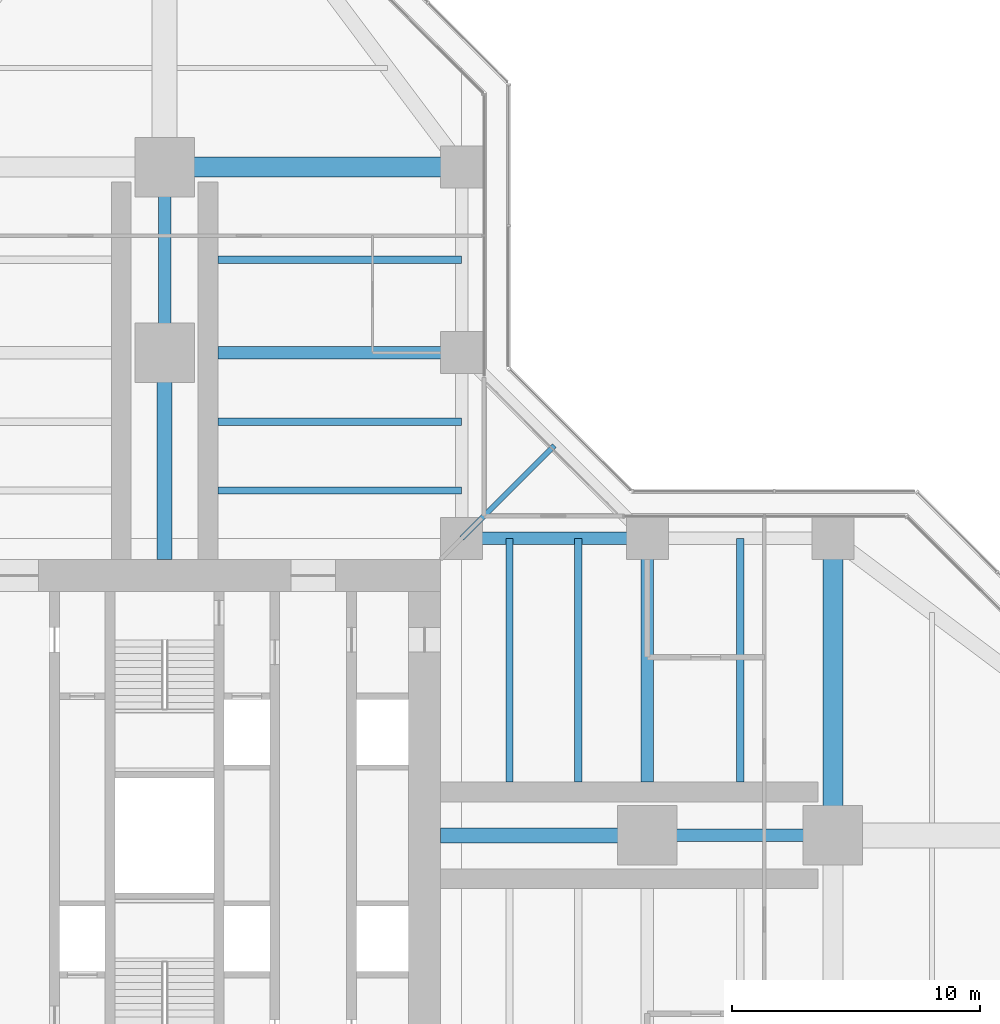
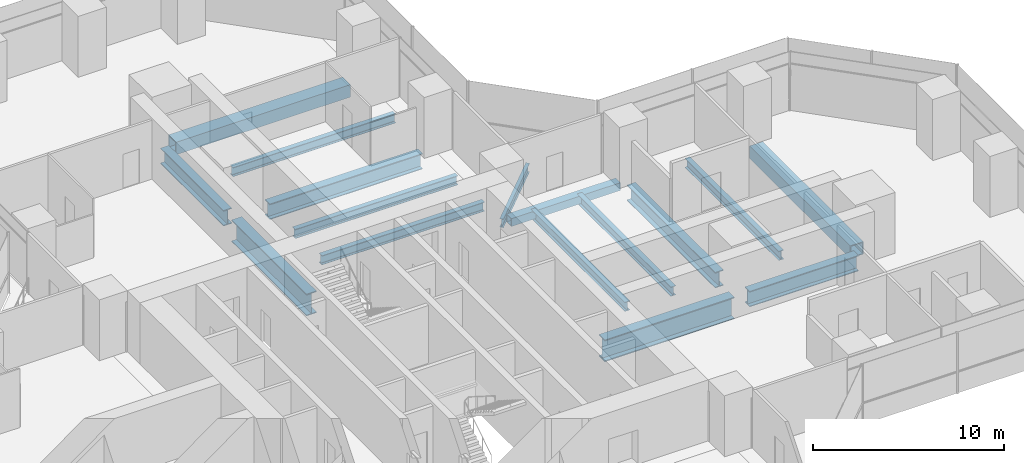
# One storey, part 10 of 22: 16 beams.
"""IFC4 building model written with IfcOpenShell, lengths in metres."""

from ifc_helpers import new_model, si_unit, direction, frame, origin, origin_2d, place, context, subcontext, project, spatial, hollow_rectangle, i_section, extrude, material, material_profile, profile_set, type_object, element, save


model = new_model("IFC4")

# Units and contexts
model_context = context("Model", 3, precision=1e-05, world=origin(), true_north=direction((0.0, 1.0)))
body_context = subcontext(model_context, "Body", "Model", "MODEL_VIEW")
ifc_project = project(units=[si_unit("LENGTHUNIT", "METRE"), si_unit("AREAUNIT", "SQUARE_METRE"), si_unit("VOLUMEUNIT", "CUBIC_METRE"), si_unit("PLANEANGLEUNIT", "RADIAN"), si_unit("MASSUNIT", "GRAM", prefix="KILO")], contexts=[model_context])

# Site, building, storey
site_placement = place(None, origin())
site = spatial("IfcSite", under=ifc_project, at=site_placement, CompositionType="ELEMENT")
building_placement = place(site_placement, origin())
building = spatial("IfcBuilding", under=site, at=building_placement, Name="Mizan Broadcast Tower", CompositionType="ELEMENT")
storey_placement = place(building_placement, frame((0.0, 0.0, 86.39990234375)))
storey = spatial("IfcBuildingStorey", under=building, at=storey_placement, Name="L18", CompositionType="ELEMENT", Elevation=86.39990234375)

# Beams
ifc_material_1 = material(Name="Steel S355", Category="steel")
ifc_material_profile_1 = material_profile(ifc_material_1, hollow_rectangle(XDim=0.5, YDim=0.5, WallThickness=0.030029296875, at=origin_2d()), Name="BOX 500x500x30")
ifc_profile_set_1 = profile_set([ifc_material_profile_1], Name="Steel S355")
beam_type_1 = type_object("IfcBeamType", Name="EDGE BEAM BOX 500x500x30", PredefinedType="SPANDREL", material=ifc_profile_set_1)
beam_1_placement = place(storey_placement, frame((12.449951171875, 12.0, -0.3798828125), z_axis=(1.0, 0.0, 0.0), x_axis=(0.0, 1.0, 0.0)))
element("IfcBeam", 1, at=beam_1_placement, inside=storey, type_object=beam_type_1, Name="Edge beam BOX 500x500x30 L18 east arm", PredefinedType="SPANDREL", context=body_context, shape_type="SweptSolid", body=[
    extrude(hollow_rectangle(XDim=0.5, YDim=0.5, WallThickness=0.030029296875, at=origin_2d()), origin(), (0.0, 0.0, 1.0), 6.60009765625),
])
ifc_material_2 = material(Name="Steel S460", Category="steel")
ifc_material_profile_2 = material_profile(ifc_material_2, hollow_rectangle(XDim=0.800048828125, YDim=0.800048828125, WallThickness=0.050048828125, at=origin_2d()), Name="BOX 800x800x50")
ifc_profile_set_2 = profile_set([ifc_material_profile_2], Name="Steel S460")
beam_type_2 = type_object("IfcBeamType", Name="GIRDER BOX 800x800x50", PredefinedType="BEAM", material=ifc_profile_set_2)
for number, where, z_axis, x_axis, name in (
    (2, (27.0, 11.280029296875, -0.52978515625), (0.0, -1.0, 0.0), (1.0, 0.0, 0.0), "Girder BOX 800x800x50 L18 east arm"),
    (3, (11.280029296875, 27.0, -0.52978515625), (-1.0, 0.0, 0.0), (0.0, -1.0, 0.0), "Girder BOX 800x800x50 L18 north arm"),
):
    element("IfcBeam", number, at=place(storey_placement, frame(where, z_axis=z_axis, x_axis=x_axis)), inside=storey, type_object=beam_type_2, Name=name, PredefinedType="BEAM", context=body_context, shape_type="SweptSolid", body=[
        extrude(hollow_rectangle(XDim=0.800048828125, YDim=0.800048828125, WallThickness=0.050048828125, at=origin_2d()), origin(), (0.0, 0.0, 1.0), 10.56005859375),
    ])
ifc_material_3 = material(Name="Steel S460", Category="steel")
ifc_material_profile_3 = material_profile(ifc_material_3, i_section(OverallWidth=0.5, OverallDepth=1.0, WebThickness=0.02490234375, FlangeThickness=0.050048828125, at=origin_2d()), Name="WPG 1000x500")
ifc_profile_set_3 = profile_set([ifc_material_profile_3], Name="Steel S460")
beam_type_3 = type_object("IfcBeamType", Name="GIRDER WPG 1000x500", PredefinedType="BEAM", material=ifc_profile_set_3)
beam_2_placement = place(storey_placement, frame((19.949951171875, 0.0, -0.6298828125), z_axis=(1.0, 0.0, 0.0), x_axis=(0.0, 1.0, 0.0)))
element("IfcBeam", 4, at=beam_2_placement, inside=storey, type_object=beam_type_3, Name="Girder WPG 1000x500 L18 east arm", PredefinedType="BEAM", context=body_context, shape_type="SweptSolid", body=[
    extrude(i_section(OverallWidth=0.5, OverallDepth=1.0, WebThickness=0.02490234375, FlangeThickness=0.050048828125, at=origin_2d()), origin(), (0.0, 0.0, 1.0), 6.60009765625),
])
beam_3_placement = place(storey_placement, frame((19.5, 11.408935546875, -0.6298828125), z_axis=(0.0, -1.0, 0.0), x_axis=(1.0, 0.0, 0.0)))
element("IfcBeam", 5, at=beam_3_placement, inside=storey, type_object=beam_type_3, Name="Girder WPG 1000x500 L18 east arm", PredefinedType="BEAM", context=body_context, shape_type="SweptSolid", body=[
    extrude(i_section(OverallWidth=0.5, OverallDepth=1.0, WebThickness=0.02490234375, FlangeThickness=0.050048828125, at=origin_2d()), origin(), (0.0, 0.0, 1.0), 9.259033203125),
])
beam_4_placement = place(storey_placement, frame((0.0, 19.949951171875, -0.6298828125), z_axis=(0.0, 1.0, 0.0), x_axis=(-1.0, 0.0, 0.0)))
element("IfcBeam", 6, at=beam_4_placement, inside=storey, type_object=beam_type_3, Name="Girder WPG 1000x500 L18 north arm", PredefinedType="BEAM", context=body_context, shape_type="SweptSolid", body=[
    extrude(i_section(OverallWidth=0.5, OverallDepth=1.0, WebThickness=0.02490234375, FlangeThickness=0.050048828125, at=origin_2d()), origin(), (0.0, 0.0, 1.0), 6.60009765625),
])
beam_5_placement = place(storey_placement, frame((11.408935546875, 19.5, -0.6298828125), z_axis=(-1.0, 0.0, 0.0), x_axis=(0.0, -1.0, 0.0)))
element("IfcBeam", 7, at=beam_5_placement, inside=storey, type_object=beam_type_3, Name="Girder WPG 1000x500 L18 north arm", PredefinedType="BEAM", context=body_context, shape_type="SweptSolid", body=[
    extrude(i_section(OverallWidth=0.5, OverallDepth=1.0, WebThickness=0.02490234375, FlangeThickness=0.050048828125, at=origin_2d()), origin(), (0.0, 0.0, 1.0), 9.259033203125),
])
ifc_material_4 = material(Name="Steel S460", Category="steel")
ifc_material_profile_4 = material_profile(ifc_material_4, i_section(OverallWidth=0.60009765625, OverallDepth=1.39990234375, WebThickness=0.02490234375, FlangeThickness=0.06005859375, at=origin_2d()), Name="WPG 1400x600")
ifc_profile_set_4 = profile_set([ifc_material_profile_4], Name="Steel S460")
beam_type_4 = type_object("IfcBeamType", Name="GIRDER WPG 1400x600", PredefinedType="BEAM", material=ifc_profile_set_4)
for number, where, z_axis, x_axis, name in (
    (8, (11.14990234375, 0.0, -0.829833984375), (1.0, 0.0, 0.0), (0.0, 1.0, 0.0), "Girder WPG 1400x600 L18 east arm"),
    (9, (0.0, 11.14990234375, -0.829833984375), (0.0, 1.0, 0.0), (-1.0, 0.0, 0.0), "Girder WPG 1400x600 L18 north arm"),
):
    element("IfcBeam", number, at=place(storey_placement, frame(where, z_axis=z_axis, x_axis=x_axis)), inside=storey, type_object=beam_type_4, Name=name, PredefinedType="BEAM", context=body_context, shape_type="SweptSolid", body=[
        extrude(i_section(OverallWidth=0.60009765625, OverallDepth=1.39990234375, WebThickness=0.02490234375, FlangeThickness=0.06005859375, at=origin_2d()), origin(), (0.0, 0.0, 1.0), 7.84912109375),
    ])
ifc_material_5 = material(Name="Steel S355", Category="steel")
ifc_material_profile_5 = material_profile(ifc_material_5, i_section(OverallWidth=0.300048828125, OverallDepth=0.590087890625, WebThickness=0.012939453125, FlangeThickness=0.02490234375, FilletRadius=0.027099609375, at=origin_2d()), Name="HEA 600")
ifc_profile_set_5 = profile_set([ifc_material_profile_5], Name="Steel S355")
beam_type_5 = type_object("IfcBeamType", Name="SECONDARY BEAM HEA 600", PredefinedType="JOIST", material=ifc_profile_set_5)
for number, where, z_axis, x_axis, name in (
    (10, (13.933349609375, 12.0, -0.4248046875), (0.0, -1.0, 0.0), (1.0, 0.0, 0.0), "Secondary beam HEA 600 L18 east arm"),
    (11, (16.716552734375, 12.0, -0.4248046875), (0.0, -1.0, 0.0), (1.0, 0.0, 0.0), "Secondary beam HEA 600 L18 east arm"),
    (12, (23.25, 12.0, -0.4248046875), (0.0, -1.0, 0.0), (1.0, 0.0, 0.0), "Secondary beam HEA 600 L18 east arm"),
    (13, (12.0, 13.933349609375, -0.4248046875), (-1.0, 0.0, 0.0), (0.0, -1.0, 0.0), "Secondary beam HEA 600 L18 north arm"),
    (14, (12.0, 16.716552734375, -0.4248046875), (-1.0, 0.0, 0.0), (0.0, -1.0, 0.0), "Secondary beam HEA 600 L18 north arm"),
    (15, (12.0, 23.25, -0.4248046875), (-1.0, 0.0, 0.0), (0.0, -1.0, 0.0), "Secondary beam HEA 600 L18 north arm"),
):
    element("IfcBeam", number, at=place(storey_placement, frame(where, z_axis=z_axis, x_axis=x_axis)), inside=storey, type_object=beam_type_5, Name=name, PredefinedType="JOIST", context=body_context, shape_type="SweptSolid", body=[
        extrude(i_section(OverallWidth=0.300048828125, OverallDepth=0.590087890625, WebThickness=0.012939453125, FlangeThickness=0.02490234375, FilletRadius=0.027099609375, at=origin_2d()), origin(), (0.0, 0.0, 1.0), 9.85009765625),
    ])
ifc_material_6 = material(Name="Steel S355", Category="steel")
ifc_material_profile_6 = material_profile(ifc_material_6, i_section(OverallWidth=0.2099609375, OverallDepth=0.550048828125, WebThickness=0.010986328125, FlangeThickness=0.01708984375, FilletRadius=0.02392578125, at=origin_2d()), Name="IPE 550")
ifc_profile_set_6 = profile_set([ifc_material_profile_6], Name="Steel S355")
beam_type_6 = type_object("IfcBeamType", Name="SECONDARY BEAM IPE 550", PredefinedType="JOIST", material=ifc_profile_set_6)
beam_6_placement = place(storey_placement, frame((12.0, 12.0, -0.40478515625), z_axis=(0.707106781187, 0.707106781187, 0.0), x_axis=(-0.707106781187, 0.707106781187, 0.0)))
element("IfcBeam", 16, at=beam_6_placement, inside=storey, type_object=beam_type_6, Name="Winter garden beam L18 E", PredefinedType="JOIST", context=body_context, shape_type="SweptSolid", body=[
    extrude(i_section(OverallWidth=0.2099609375, OverallDepth=0.550048828125, WebThickness=0.010986328125, FlangeThickness=0.01708984375, FilletRadius=0.02392578125, at=origin_2d()), origin(), (0.0, 0.0, 1.0), 5.30322265625),
])

save(model, "model.ifc")
